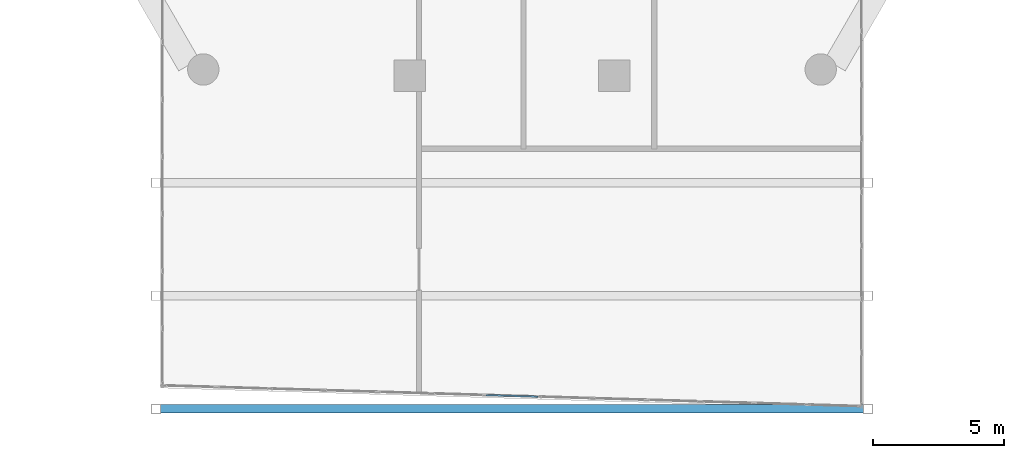
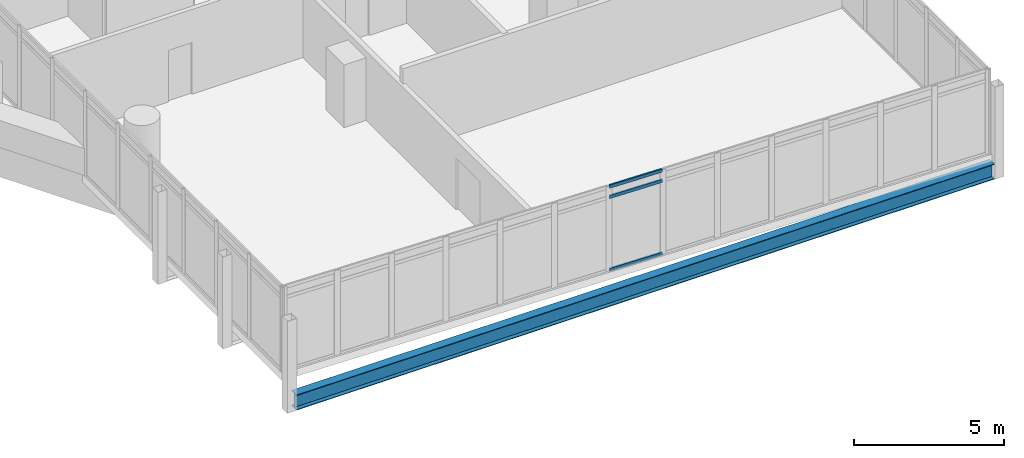
# One storey, part 4 of 28: 3 members, 1 beam, 1 element without a shape of its own.
"""IFC4 building model written with IfcOpenShell, lengths in metres."""

from ifc_helpers import new_model, si_unit, direction, frame, origin, origin_2d, place, context, subcontext, project, spatial, hollow_rectangle, i_section, extrude, material, material_profile, profile_set, type_object, element, aggregate, save


model = new_model("IFC4")

# Units and contexts
model_context = context("Model", 3, precision=1e-05, world=origin(), true_north=direction((0.0, 1.0)))
body_context = subcontext(model_context, "Body", "Model", "MODEL_VIEW")
ifc_project = project(units=[si_unit("LENGTHUNIT", "METRE"), si_unit("AREAUNIT", "SQUARE_METRE"), si_unit("VOLUMEUNIT", "CUBIC_METRE"), si_unit("PLANEANGLEUNIT", "RADIAN"), si_unit("MASSUNIT", "GRAM", prefix="KILO")], contexts=[model_context])

# Site, building, storey
site_placement = place(None, origin())
site = spatial("IfcSite", under=ifc_project, at=site_placement, CompositionType="ELEMENT")
building_placement = place(site_placement, origin())
building = spatial("IfcBuilding", under=site, at=building_placement, Name="Ostrander Bayou Hotel Tower", CompositionType="ELEMENT")
storey_placement = place(building_placement, frame((0.0, 0.0, 134.75)))
storey = spatial("IfcBuildingStorey", under=building, at=storey_placement, Name="L33", CompositionType="ELEMENT", Elevation=134.75)

# Curtain wall, members
ifc_material_1 = material(Name="Aluminium and clear glass", Category="aluminium")
curtain_wall_type = type_object("IfcCurtainWallType", Name="CW-BAR glazed wall", PredefinedType="NOTDEFINED", material=ifc_material_1)
curtain_wall_placement = place(storey_placement, origin())
curtain_wall = element("IfcCurtainWall", 1, at=curtain_wall_placement, inside=storey, type_object=curtain_wall_type, Name="CW-BAR L33:SB3S:T", PredefinedType="NOTDEFINED")
ifc_material_2 = material(Name="Aluminium", Category="aluminium")
ifc_material_profile_1 = material_profile(ifc_material_2, hollow_rectangle(XDim=0.06005859375, YDim=0.1298828125, WallThickness=0.00390625, at=origin_2d()))
ifc_profile_set_1 = profile_set([ifc_material_profile_1], Name="Aluminium")
member_type = type_object("IfcMemberType", Name="CW-BR transom 60 x 130 mm", PredefinedType="USERDEFINED", material=ifc_profile_set_1)
member_1_placement = place(storey_placement, frame((-0.998291015625, -30.92041015625, 0.030029296875), z_axis=(0.999558835181, -0.029700757758, 0.0), x_axis=(0.029700757758, 0.999558835181, 0.0)))
member_1 = element("IfcMember", 2, at=member_1_placement, type_object=member_type, Name="CW-BAR transom 7.1", ObjectType="TRANSOM", PredefinedType="USERDEFINED", context=body_context, shape_type="SweptSolid", body=[
    extrude(hollow_rectangle(XDim=0.06005859375, YDim=0.1298828125, WallThickness=0.00390625, at=origin_2d()), origin(), (0.0, 0.0, 1.0), 1.99755859375),
])
member_2_placement = place(storey_placement, frame((-0.998291015625, -30.92041015625, 3.0), z_axis=(0.999558835181, -0.029700757758, 0.0), x_axis=(0.029700757758, 0.999558835181, 0.0)))
member_2 = element("IfcMember", 3, at=member_2_placement, type_object=member_type, Name="CW-BAR transom 7.2", ObjectType="TRANSOM", PredefinedType="USERDEFINED", context=body_context, shape_type="SweptSolid", body=[
    extrude(hollow_rectangle(XDim=0.06005859375, YDim=0.1298828125, WallThickness=0.00390625, at=origin_2d()), origin(), (0.0, 0.0, 1.0), 1.99755859375),
])
member_3_placement = place(storey_placement, frame((-0.998291015625, -30.92041015625, 3.419921875), z_axis=(0.999558835181, -0.029700757758, 0.0), x_axis=(0.029700757758, 0.999558835181, 0.0)))
member_3 = element("IfcMember", 4, at=member_3_placement, type_object=member_type, Name="CW-BAR transom 7.3", ObjectType="TRANSOM", PredefinedType="USERDEFINED", context=body_context, shape_type="SweptSolid", body=[
    extrude(hollow_rectangle(XDim=0.06005859375, YDim=0.1298828125, WallThickness=0.00390625, at=origin_2d()), origin(), (0.0, 0.0, 1.0), 1.99755859375),
])
aggregate(curtain_wall, [member_1, member_2, member_3])

# Beam
ifc_material_3 = material(Name="Steel ASTM A992", Category="steel")
ifc_material_profile_2 = material_profile(ifc_material_3, i_section(OverallWidth=0.32763671875, OverallDepth=0.621826171875, WebThickness=0.015380859375, FlangeThickness=0.0244140625, at=origin_2d()))
ifc_profile_set_2 = profile_set([ifc_material_profile_2], Name="Steel ASTM A992")
beam_type = type_object("IfcBeamType", Name="TF1 bar floor beam W24x131", PredefinedType="BEAM", material=ifc_profile_set_2)
beam_placement = place(storey_placement, frame((-13.442138671875, -31.449951171875, -0.61083984375), z_axis=(1.0, 0.0, 0.0), x_axis=(0.0, 1.0, 0.0)))
element("IfcBeam", 5, at=beam_placement, inside=storey, type_object=beam_type, Name="TF1 SB3S L2-3", PredefinedType="BEAM", context=body_context, shape_type="SweptSolid", body=[
    extrude(i_section(OverallWidth=0.32763671875, OverallDepth=0.621826171875, WebThickness=0.015380859375, FlangeThickness=0.0244140625, at=origin_2d()), origin(), (0.0, 0.0, 1.0), 26.88427734375),
])

save(model, "model.ifc")
